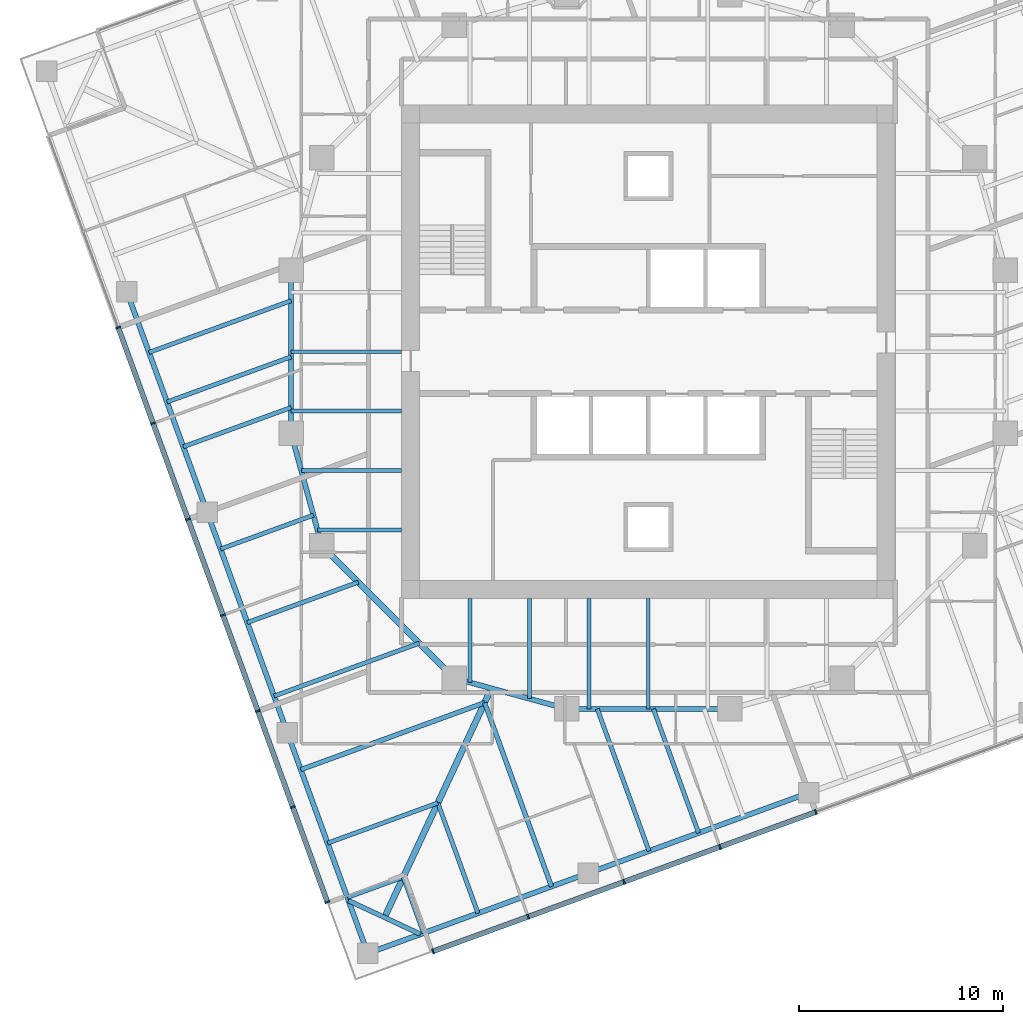
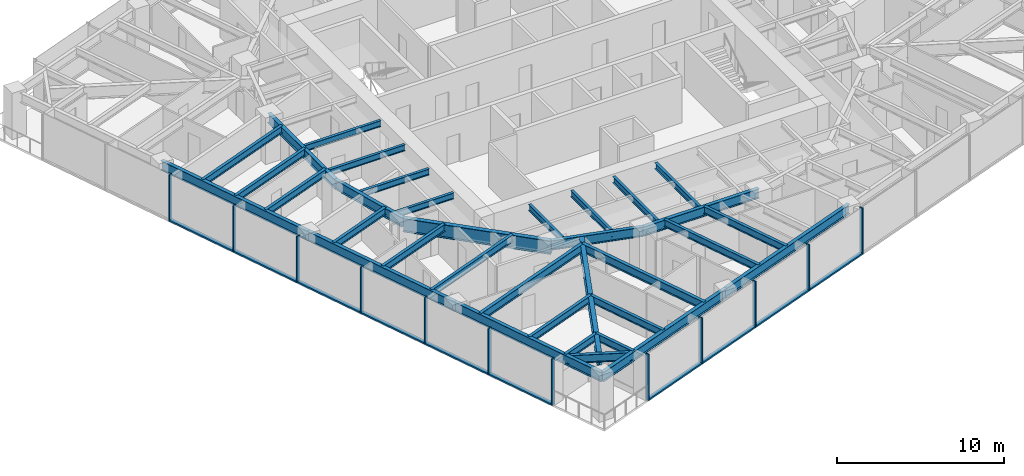
# One storey, part 2 of 13: 34 beams, 22 members, 2 elements without a shape of their own.
"""IFC4 building model written with IfcOpenShell, lengths in metres."""

from ifc_helpers import new_model, si_unit, direction, frame, origin, origin_2d, place, context, subcontext, project, spatial, rectangle, i_section, extrude, material, material_profile, profile_set, type_object, element, aggregate, save


model = new_model("IFC4")

# Units and contexts
model_context = context("Model", 3, precision=1e-05, world=origin(), true_north=direction((0.0, 1.0)))
body_context = subcontext(model_context, "Body", "Model", "MODEL_VIEW")
ifc_project = project(units=[si_unit("LENGTHUNIT", "METRE"), si_unit("AREAUNIT", "SQUARE_METRE"), si_unit("VOLUMEUNIT", "CUBIC_METRE"), si_unit("PLANEANGLEUNIT", "RADIAN"), si_unit("MASSUNIT", "GRAM", prefix="KILO")], contexts=[model_context])

# Site, building, storey
site_placement = place(None, origin())
site = spatial("IfcSite", under=ifc_project, at=site_placement, CompositionType="ELEMENT")
building_placement = place(site_placement, origin())
building = spatial("IfcBuilding", under=site, at=building_placement, Name="Torsade Residences", CompositionType="ELEMENT")
storey_placement = place(building_placement, frame((0.0, 0.0, 147.199951171875)))
storey = spatial("IfcBuildingStorey", under=building, at=storey_placement, Name="L40", CompositionType="ELEMENT", Elevation=147.199951171875)

# Beams
ifc_material_1 = material(Name="Steel grade 300", Category="steel")
ifc_material_profile_1 = material_profile(ifc_material_1, i_section(OverallWidth=0.300048828125, OverallDepth=0.89990234375, WebThickness=0.011962890625, FlangeThickness=0.02490234375, at=origin_2d()), Name="900WB175")
ifc_profile_set_1 = profile_set([ifc_material_profile_1], Name="Steel grade 300")
beam_type_1 = type_object("IfcBeamType", Name="CORNER GIRDER 900WB175", PredefinedType="BEAM", material=ifc_profile_set_1)
beam_1_placement = place(storey_placement, frame((27.075439453125, 2.282958984375, 2.800048828125), z_axis=(0.422616712682, 0.906308509373, 0.0), x_axis=(-0.906308509373, 0.422616712682, 0.0)))
element("IfcBeam", 1, at=beam_1_placement, inside=storey, type_object=beam_type_1, Name="Corner girder 01 L41", PredefinedType="BEAM", context=body_context, shape_type="SweptSolid", body=[
    extrude(i_section(OverallWidth=0.300048828125, OverallDepth=0.89990234375, WebThickness=0.011962890625, FlangeThickness=0.02490234375, at=origin_2d()), origin(), (0.0, 0.0, 1.0), 12.3837890625),
])
ifc_material_2 = material(Name="Steel grade 300", Category="steel")
ifc_material_profile_2 = material_profile(ifc_material_2, i_section(OverallWidth=0.22802734375, OverallDepth=0.60205078125, WebThickness=0.010498046875, FlangeThickness=0.014892578125, FilletRadius=0.013916015625, at=origin_2d()), Name="610UB101")
ifc_profile_set_2 = profile_set([ifc_material_profile_2], Name="Steel grade 300")
beam_type_2 = type_object("IfcBeamType", Name="CORNER TRIMMER 610UB101", PredefinedType="BEAM", material=ifc_profile_set_2)
beam_2_placement = place(storey_placement, frame((28.837646484375, 1.461181640625, 2.948974609375), z_axis=(-0.906309798645, 0.422613947806, 0.0), x_axis=(-0.422613947806, -0.906309798645, 0.0)))
element("IfcBeam", 2, at=beam_2_placement, inside=storey, type_object=beam_type_2, Name="Corner trimmer 01 L41", PredefinedType="BEAM", context=body_context, shape_type="SweptSolid", body=[
    extrude(i_section(OverallWidth=0.22802734375, OverallDepth=0.60205078125, WebThickness=0.010498046875, FlangeThickness=0.014892578125, FilletRadius=0.013916015625, at=origin_2d()), origin(), (0.0, 0.0, 1.0), 3.888916015625),
])
ifc_material_3 = material(Name="Steel grade 300", Category="steel")
ifc_material_profile_3 = material_profile(ifc_material_3, i_section(OverallWidth=0.25, OverallDepth=0.699951171875, WebThickness=0.010009765625, FlangeThickness=0.02001953125, at=origin_2d()), Name="700WB130")
ifc_profile_set_3 = profile_set([ifc_material_profile_3], Name="Steel grade 300")
beam_type_3 = type_object("IfcBeamType", Name="EDGE BEAM 700WB130", PredefinedType="SPANDREL", material=ifc_profile_set_3)
beam_3_placement = place(storey_placement, frame((26.25341796875, 0.5205078125, 2.900146484375), z_axis=(0.93969110915, 0.342024296483, 0.0), x_axis=(-0.342024296483, 0.93969110915, 0.0)))
element("IfcBeam", 3, at=beam_3_placement, inside=storey, type_object=beam_type_3, Name="Edge beam 01 L41", PredefinedType="SPANDREL", context=body_context, shape_type="SweptSolid", body=[
    extrude(i_section(OverallWidth=0.25, OverallDepth=0.699951171875, WebThickness=0.010009765625, FlangeThickness=0.02001953125, at=origin_2d()), origin(), (0.0, 0.0, 1.0), 11.500244140625),
])
for number, where, z_axis, x_axis, name in (
    (4, (37.06005859375, 4.453857421875, 2.900146484375), (0.939695448801, 0.342012373318, 0.0), (-0.342012373318, 0.939695448801, 0.0), "Edge beam 02 L41"),
    (5, (14.453857421875, 32.93994140625, 2.900146484375), (0.342012373318, -0.939695448801, 0.0), (0.939695448801, 0.342012373318, 0.0), "Edge beam 14 L41"),
    (6, (18.386962890625, 22.133544921875, 2.900146484375), (0.342031119628, -0.939688625666, 0.0), (0.939688625666, 0.342031119628, 0.0), "Edge beam 15 L41"),
    (7, (22.3203125, 11.3271484375, 2.900146484375), (0.342005550448, -0.939697932031, 0.0), (0.939697932031, 0.342005550448, 0.0), "Edge beam 16 L41"),
):
    element("IfcBeam", number, at=place(storey_placement, frame(where, z_axis=z_axis, x_axis=x_axis)), inside=storey, type_object=beam_type_3, Name=name, PredefinedType="SPANDREL", context=body_context, shape_type="SweptSolid", body=[
        extrude(i_section(OverallWidth=0.25, OverallDepth=0.699951171875, WebThickness=0.010009765625, FlangeThickness=0.02001953125, at=origin_2d()), origin(), (0.0, 0.0, 1.0), 11.5),
    ])
ifc_material_4 = material(Name="Steel grade 300", Category="steel")
ifc_material_profile_4 = material_profile(ifc_material_4, i_section(OverallWidth=0.18994140625, OverallDepth=0.4541015625, WebThickness=0.008544921875, FlangeThickness=0.0126953125, FilletRadius=0.011474609375, at=origin_2d()), Name="460UB67.1")
ifc_profile_set_4 = profile_set([ifc_material_profile_4], Name="Steel grade 300")
beam_type_4 = type_object("IfcBeamType", Name="INNER FLOOR BEAM 460UB67.1", PredefinedType="JOIST", material=ifc_profile_set_4)
for number, where, z_axis, x_axis, name in (
    (8, (40.0, 17.89990234375, 3.02294921875), (0.0, -1.0, 0.0), (1.0, 0.0, 0.0), "Inner floor beam IS04 L41"),
    (9, (37.08740234375, 17.89990234375, 3.02294921875), (0.0, -1.0, 0.0), (1.0, 0.0, 0.0), "Inner floor beam IS05 L41"),
):
    element("IfcBeam", number, at=place(storey_placement, frame(where, z_axis=z_axis, x_axis=x_axis)), inside=storey, type_object=beam_type_4, Name=name, PredefinedType="JOIST", context=body_context, shape_type="SweptSolid", body=[
        extrude(i_section(OverallWidth=0.18994140625, OverallDepth=0.4541015625, WebThickness=0.008544921875, FlangeThickness=0.0126953125, FilletRadius=0.011474609375, at=origin_2d()), origin(), (0.0, 0.0, 1.0), 5.39990234375),
    ])
beam_4_placement = place(storey_placement, frame((34.175048828125, 17.89990234375, 3.02294921875), z_axis=(0.0, -1.0, 0.0), x_axis=(1.0, 0.0, 0.0)))
element("IfcBeam", 10, at=beam_4_placement, inside=storey, type_object=beam_type_4, Name="Inner floor beam IS06 L41", PredefinedType="JOIST", context=body_context, shape_type="SweptSolid", body=[
    extrude(i_section(OverallWidth=0.18994140625, OverallDepth=0.4541015625, WebThickness=0.008544921875, FlangeThickness=0.0126953125, FilletRadius=0.011474609375, at=origin_2d()), origin(), (0.0, 0.0, 1.0), 4.902099609375),
])
beam_5_placement = place(storey_placement, frame((31.262451171875, 17.89990234375, 3.02294921875), z_axis=(0.0, -1.0, 0.0), x_axis=(1.0, 0.0, 0.0)))
element("IfcBeam", 11, at=beam_5_placement, inside=storey, type_object=beam_type_4, Name="Inner floor beam IS07 L41", PredefinedType="JOIST", context=body_context, shape_type="SweptSolid", body=[
    extrude(i_section(OverallWidth=0.18994140625, OverallDepth=0.4541015625, WebThickness=0.008544921875, FlangeThickness=0.0126953125, FilletRadius=0.011474609375, at=origin_2d()), origin(), (0.0, 0.0, 1.0), 4.10791015625),
])
for number, where, z_axis, x_axis, name in (
    (12, (27.89990234375, 30.0, 3.02294921875), (-1.0, 0.0, 0.0), (0.0, -1.0, 0.0), "Inner floor beam IW04 L41"),
    (13, (27.89990234375, 27.08740234375, 3.02294921875), (-1.0, 0.0, 0.0), (0.0, -1.0, 0.0), "Inner floor beam IW05 L41"),
):
    element("IfcBeam", number, at=place(storey_placement, frame(where, z_axis=z_axis, x_axis=x_axis)), inside=storey, type_object=beam_type_4, Name=name, PredefinedType="JOIST", context=body_context, shape_type="SweptSolid", body=[
        extrude(i_section(OverallWidth=0.18994140625, OverallDepth=0.4541015625, WebThickness=0.008544921875, FlangeThickness=0.0126953125, FilletRadius=0.011474609375, at=origin_2d()), origin(), (0.0, 0.0, 1.0), 5.39990234375),
    ])
beam_6_placement = place(storey_placement, frame((27.89990234375, 24.175048828125, 3.02294921875), z_axis=(-1.0, 0.0, 0.0), x_axis=(0.0, -1.0, 0.0)))
element("IfcBeam", 14, at=beam_6_placement, inside=storey, type_object=beam_type_4, Name="Inner floor beam IW06 L41", PredefinedType="JOIST", context=body_context, shape_type="SweptSolid", body=[
    extrude(i_section(OverallWidth=0.18994140625, OverallDepth=0.4541015625, WebThickness=0.008544921875, FlangeThickness=0.0126953125, FilletRadius=0.011474609375, at=origin_2d()), origin(), (0.0, 0.0, 1.0), 4.902099609375),
])
beam_7_placement = place(storey_placement, frame((27.89990234375, 21.262451171875, 3.02294921875), z_axis=(-1.0, 0.0, 0.0), x_axis=(0.0, -1.0, 0.0)))
element("IfcBeam", 15, at=beam_7_placement, inside=storey, type_object=beam_type_4, Name="Inner floor beam IW07 L41", PredefinedType="JOIST", context=body_context, shape_type="SweptSolid", body=[
    extrude(i_section(OverallWidth=0.18994140625, OverallDepth=0.4541015625, WebThickness=0.008544921875, FlangeThickness=0.0126953125, FilletRadius=0.011474609375, at=origin_2d()), origin(), (0.0, 0.0, 1.0), 4.10791015625),
])

# Curtain wall, members
ifc_material_5 = material(Name="Aluminium and glass", Category="aluminium")
curtain_wall_type = type_object("IfcCurtainWallType", Name="FRITTED GLASS CURTAIN WALL MID ZONE", PredefinedType="NOTDEFINED", material=ifc_material_5)
curtain_wall_1_placement = place(storey_placement, origin())
curtain_wall_1 = element("IfcCurtainWall", 16, at=curtain_wall_1_placement, inside=storey, type_object=curtain_wall_type, Name="Curtain wall L40 face 1", PredefinedType="NOTDEFINED")
ifc_material_6 = material(Name="Aluminium mullion", Category="aluminium")
ifc_material_profile_5 = material_profile(ifc_material_6, rectangle(XDim=0.25, YDim=0.080078125, at=origin_2d()), Name="MID ZONE CURTAIN WALL MULLION 250x80")
ifc_profile_set_5 = profile_set([ifc_material_profile_5], Name="Aluminium mullion")
member_type_1 = type_object("IfcMemberType", Name="MID ZONE CURTAIN WALL MULLION 250x80", PredefinedType="MULLION", material=ifc_profile_set_5)
member_1_placement = place(storey_placement, frame((29.4521484375, 0.62060546875, 0.0), z_axis=(0.0, 0.0, 1.0), x_axis=(-0.342020147869, 0.939692619132, 0.0)))
member_1 = element("IfcMember", 17, at=member_1_placement, type_object=member_type_1, Name="Mullion 1", PredefinedType="MULLION", context=body_context, shape_type="SweptSolid", body=[
    extrude(rectangle(XDim=0.25, YDim=0.080078125, at=origin_2d()), origin(), (0.0, 0.0, 1.0), 3.400146484375),
])
member_2_placement = place(storey_placement, frame((34.113037109375, 2.317138671875, 0.0), z_axis=(0.0, 0.0, 1.0), x_axis=(-0.342020147869, 0.939692619132, 0.0)))
member_2 = element("IfcMember", 18, at=member_2_placement, type_object=member_type_1, Name="Mullion 2", PredefinedType="MULLION", context=body_context, shape_type="SweptSolid", body=[
    extrude(rectangle(XDim=0.25, YDim=0.080078125, at=origin_2d()), origin(), (0.0, 0.0, 1.0), 3.400146484375),
])
member_3_placement = place(storey_placement, frame((38.8115234375, 4.027099609375, 0.0), z_axis=(0.0, 0.0, 1.0), x_axis=(-0.342020147869, 0.939692619132, 0.0)))
member_3 = element("IfcMember", 19, at=member_3_placement, type_object=member_type_1, Name="Mullion 3", PredefinedType="MULLION", context=body_context, shape_type="SweptSolid", body=[
    extrude(rectangle(XDim=0.25, YDim=0.080078125, at=origin_2d()), origin(), (0.0, 0.0, 1.0), 3.400146484375),
])
member_4_placement = place(storey_placement, frame((43.510009765625, 5.7373046875, 0.0), z_axis=(0.0, 0.0, 1.0), x_axis=(-0.342020147869, 0.939692619132, 0.0)))
member_4 = element("IfcMember", 20, at=member_4_placement, type_object=member_type_1, Name="Mullion 4", PredefinedType="MULLION", context=body_context, shape_type="SweptSolid", body=[
    extrude(rectangle(XDim=0.25, YDim=0.080078125, at=origin_2d()), origin(), (0.0, 0.0, 1.0), 3.400146484375),
])
member_5_placement = place(storey_placement, frame((48.20849609375, 7.447265625, 0.0), z_axis=(0.0, 0.0, 1.0), x_axis=(-0.342020147869, 0.939692619132, 0.0)))
member_5 = element("IfcMember", 21, at=member_5_placement, type_object=member_type_1, Name="Mullion 5", PredefinedType="MULLION", context=body_context, shape_type="SweptSolid", body=[
    extrude(rectangle(XDim=0.25, YDim=0.080078125, at=origin_2d()), origin(), (0.0, 0.0, 1.0), 3.400146484375),
])

curtain_wall_2_placement = place(storey_placement, origin())
curtain_wall_2 = element("IfcCurtainWall", 22, at=curtain_wall_2_placement, inside=storey, type_object=curtain_wall_type, Name="Curtain wall L40 face 10", PredefinedType="NOTDEFINED")
member_6_placement = place(storey_placement, frame((14.027099609375, 31.1884765625, 0.0), z_axis=(0.0, 0.0, 1.0), x_axis=(0.939692619132, 0.342020147869, 0.0)))
member_6 = element("IfcMember", 23, at=member_6_placement, type_object=member_type_1, Name="Mullion 3", PredefinedType="MULLION", context=body_context, shape_type="SweptSolid", body=[
    extrude(rectangle(XDim=0.25, YDim=0.080078125, at=origin_2d()), origin(), (0.0, 0.0, 1.0), 3.400146484375),
])
member_7_placement = place(storey_placement, frame((15.7373046875, 26.489990234375, 0.0), z_axis=(0.0, 0.0, 1.0), x_axis=(0.939692619132, 0.342020147869, 0.0)))
member_7 = element("IfcMember", 24, at=member_7_placement, type_object=member_type_1, Name="Mullion 4", PredefinedType="MULLION", context=body_context, shape_type="SweptSolid", body=[
    extrude(rectangle(XDim=0.25, YDim=0.080078125, at=origin_2d()), origin(), (0.0, 0.0, 1.0), 3.400146484375),
])
member_8_placement = place(storey_placement, frame((17.447265625, 21.79150390625, 0.0), z_axis=(0.0, 0.0, 1.0), x_axis=(0.939692619132, 0.342020147869, 0.0)))
member_8 = element("IfcMember", 25, at=member_8_placement, type_object=member_type_1, Name="Mullion 5", PredefinedType="MULLION", context=body_context, shape_type="SweptSolid", body=[
    extrude(rectangle(XDim=0.25, YDim=0.080078125, at=origin_2d()), origin(), (0.0, 0.0, 1.0), 3.400146484375),
])
member_9_placement = place(storey_placement, frame((19.157470703125, 17.093017578125, 0.0), z_axis=(0.0, 0.0, 1.0), x_axis=(0.939692619132, 0.342020147869, 0.0)))
member_9 = element("IfcMember", 26, at=member_9_placement, type_object=member_type_1, Name="Mullion 6", PredefinedType="MULLION", context=body_context, shape_type="SweptSolid", body=[
    extrude(rectangle(XDim=0.25, YDim=0.080078125, at=origin_2d()), origin(), (0.0, 0.0, 1.0), 3.400146484375),
])
member_10_placement = place(storey_placement, frame((20.86767578125, 12.39453125, 0.0), z_axis=(0.0, 0.0, 1.0), x_axis=(0.939692619132, 0.342020147869, 0.0)))
member_10 = element("IfcMember", 27, at=member_10_placement, type_object=member_type_1, Name="Mullion 7", PredefinedType="MULLION", context=body_context, shape_type="SweptSolid", body=[
    extrude(rectangle(XDim=0.25, YDim=0.080078125, at=origin_2d()), origin(), (0.0, 0.0, 1.0), 3.400146484375),
])
member_11_placement = place(storey_placement, frame((22.57763671875, 7.696044921875, 0.0), z_axis=(0.0, 0.0, 1.0), x_axis=(0.939692619132, 0.342020147869, 0.0)))
member_11 = element("IfcMember", 28, at=member_11_placement, type_object=member_type_1, Name="Mullion 8", PredefinedType="MULLION", context=body_context, shape_type="SweptSolid", body=[
    extrude(rectangle(XDim=0.25, YDim=0.080078125, at=origin_2d()), origin(), (0.0, 0.0, 1.0), 3.400146484375),
])
member_12_placement = place(storey_placement, frame((24.274169921875, 3.03515625, 0.0), z_axis=(0.0, 0.0, 1.0), x_axis=(0.939692619132, 0.342020147869, 0.0)))
member_12 = element("IfcMember", 29, at=member_12_placement, type_object=member_type_1, Name="Mullion 9", PredefinedType="MULLION", context=body_context, shape_type="SweptSolid", body=[
    extrude(rectangle(XDim=0.25, YDim=0.080078125, at=origin_2d()), origin(), (0.0, 0.0, 1.0), 3.400146484375),
])

# Member
ifc_material_7 = material(Name="Aluminium transom", Category="aluminium")
ifc_material_profile_6 = material_profile(ifc_material_7, rectangle(XDim=0.25, YDim=0.110107421875, at=origin_2d()), Name="MID ZONE CURTAIN WALL TRANSOM 250x110")
ifc_profile_set_6 = profile_set([ifc_material_profile_6], Name="Aluminium transom")
member_type_2 = type_object("IfcMemberType", Name="MID ZONE CURTAIN WALL TRANSOM 250x110", PredefinedType="USERDEFINED", material=ifc_profile_set_6)
member_13_placement = place(storey_placement, frame((29.48974609375, 0.63427734375, 0.054931640625), z_axis=(0.939683823915, 0.342044311564, 0.0), x_axis=(-0.342044311564, 0.939683823915, 0.0)))
member_13 = element("IfcMember", 30, at=member_13_placement, type_object=member_type_2, Name="Transom 1.1", ObjectType="TRANSOM", PredefinedType="USERDEFINED", context=body_context, shape_type="SweptSolid", body=[
    extrude(rectangle(XDim=0.25, YDim=0.110107421875, at=origin_2d()), origin(), (0.0, 0.0, 1.0), 4.880126953125),
])

member_14_placement = place(storey_placement, frame((34.150634765625, 2.330810546875, 0.054931640625), z_axis=(0.9397006637, 0.341998044792, 0.0), x_axis=(-0.341998044792, 0.9397006637, 0.0)))
member_14 = element("IfcMember", 31, at=member_14_placement, type_object=member_type_2, Name="Transom 2.1", ObjectType="TRANSOM", PredefinedType="USERDEFINED", context=body_context, shape_type="SweptSolid", body=[
    extrude(rectangle(XDim=0.25, YDim=0.110107421875, at=origin_2d()), origin(), (0.0, 0.0, 1.0), 4.919921875),
])

member_15_placement = place(storey_placement, frame((38.84912109375, 4.040771484375, 0.054931640625), z_axis=(0.93968471549, 0.342041862168, 0.0), x_axis=(-0.342041862168, 0.93968471549, 0.0)))
member_15 = element("IfcMember", 32, at=member_15_placement, type_object=member_type_2, Name="Transom 3.1", ObjectType="TRANSOM", PredefinedType="USERDEFINED", context=body_context, shape_type="SweptSolid", body=[
    extrude(rectangle(XDim=0.25, YDim=0.110107421875, at=origin_2d()), origin(), (0.0, 0.0, 1.0), 4.920166015625),
])

member_16_placement = place(storey_placement, frame((43.547607421875, 5.7509765625, 0.054931640625), z_axis=(0.9397006637, 0.341998044792, 0.0), x_axis=(-0.341998044792, 0.9397006637, 0.0)))
member_16 = element("IfcMember", 33, at=member_16_placement, type_object=member_type_2, Name="Transom 4.1", ObjectType="TRANSOM", PredefinedType="USERDEFINED", context=body_context, shape_type="SweptSolid", body=[
    extrude(rectangle(XDim=0.25, YDim=0.110107421875, at=origin_2d()), origin(), (0.0, 0.0, 1.0), 4.919921875),
])

aggregate(curtain_wall_1, [member_1, member_2, member_3, member_4, member_5, member_13, member_14, member_15, member_16])

member_17_placement = place(storey_placement, frame((14.040771484375, 31.15087890625, 0.054931640625), z_axis=(0.342041862168, -0.93968471549, 0.0), x_axis=(0.93968471549, 0.342041862168, 0.0)))
member_17 = element("IfcMember", 34, at=member_17_placement, type_object=member_type_2, Name="Transom 3.1", ObjectType="TRANSOM", PredefinedType="USERDEFINED", context=body_context, shape_type="SweptSolid", body=[
    extrude(rectangle(XDim=0.25, YDim=0.110107421875, at=origin_2d()), origin(), (0.0, 0.0, 1.0), 4.920166015625),
])

member_18_placement = place(storey_placement, frame((15.7509765625, 26.452392578125, 0.054931640625), z_axis=(0.341998044792, -0.9397006637, 0.0), x_axis=(0.9397006637, 0.341998044792, 0.0)))
member_18 = element("IfcMember", 35, at=member_18_placement, type_object=member_type_2, Name="Transom 4.1", ObjectType="TRANSOM", PredefinedType="USERDEFINED", context=body_context, shape_type="SweptSolid", body=[
    extrude(rectangle(XDim=0.25, YDim=0.110107421875, at=origin_2d()), origin(), (0.0, 0.0, 1.0), 4.919921875),
])

member_19_placement = place(storey_placement, frame((17.4609375, 21.75390625, 0.054931640625), z_axis=(0.342041862168, -0.93968471549, 0.0), x_axis=(0.93968471549, 0.342041862168, 0.0)))
member_19 = element("IfcMember", 36, at=member_19_placement, type_object=member_type_2, Name="Transom 5.1", ObjectType="TRANSOM", PredefinedType="USERDEFINED", context=body_context, shape_type="SweptSolid", body=[
    extrude(rectangle(XDim=0.25, YDim=0.110107421875, at=origin_2d()), origin(), (0.0, 0.0, 1.0), 4.920166015625),
])

member_20_placement = place(storey_placement, frame((19.171142578125, 17.055419921875, 0.054931640625), z_axis=(0.342041862168, -0.93968471549, 0.0), x_axis=(0.93968471549, 0.342041862168, 0.0)))
member_20 = element("IfcMember", 37, at=member_20_placement, type_object=member_type_2, Name="Transom 6.1", ObjectType="TRANSOM", PredefinedType="USERDEFINED", context=body_context, shape_type="SweptSolid", body=[
    extrude(rectangle(XDim=0.25, YDim=0.110107421875, at=origin_2d()), origin(), (0.0, 0.0, 1.0), 4.920166015625),
])

member_21_placement = place(storey_placement, frame((20.88134765625, 12.35693359375, 0.054931640625), z_axis=(0.341998044792, -0.9397006637, 0.0), x_axis=(0.9397006637, 0.341998044792, 0.0)))
member_21 = element("IfcMember", 38, at=member_21_placement, type_object=member_type_2, Name="Transom 7.1", ObjectType="TRANSOM", PredefinedType="USERDEFINED", context=body_context, shape_type="SweptSolid", body=[
    extrude(rectangle(XDim=0.25, YDim=0.110107421875, at=origin_2d()), origin(), (0.0, 0.0, 1.0), 4.919921875),
])

member_22_placement = place(storey_placement, frame((22.59130859375, 7.658447265625, 0.054931640625), z_axis=(0.342044311564, -0.939683823915, 0.0), x_axis=(0.939683823915, 0.342044311564, 0.0)))
member_22 = element("IfcMember", 39, at=member_22_placement, type_object=member_type_2, Name="Transom 8.1", ObjectType="TRANSOM", PredefinedType="USERDEFINED", context=body_context, shape_type="SweptSolid", body=[
    extrude(rectangle(XDim=0.25, YDim=0.110107421875, at=origin_2d()), origin(), (0.0, 0.0, 1.0), 4.880126953125),
])

aggregate(curtain_wall_2, [member_6, member_7, member_8, member_9, member_10, member_11, member_12, member_17, member_18, member_19, member_20, member_21, member_22])

# Beams
ifc_material_8 = material(Name="Steel grade 300", Category="steel")
ifc_material_profile_7 = material_profile(ifc_material_8, i_section(OverallWidth=0.300048828125, OverallDepth=1.0, WebThickness=0.01611328125, FlangeThickness=0.028076171875, at=origin_2d()), Name="1000WB215")
ifc_profile_set_7 = profile_set([ifc_material_profile_7], Name="Steel grade 300")
beam_type_5 = type_object("IfcBeamType", Name="RING CORNER GIRDER 1000WB215", PredefinedType="BEAM", material=ifc_profile_set_7)
beam_8_placement = place(storey_placement, frame((24.0, 20.5, 2.75), z_axis=(0.707106781187, -0.707106781187, 0.0), x_axis=(0.707106781187, 0.707106781187, 0.0)))
element("IfcBeam", 40, at=beam_8_placement, inside=storey, type_object=beam_type_5, Name="Ring girder IR11 L41", PredefinedType="BEAM", context=body_context, shape_type="SweptSolid", body=[
    extrude(i_section(OverallWidth=0.300048828125, OverallDepth=1.0, WebThickness=0.01611328125, FlangeThickness=0.028076171875, at=origin_2d()), origin(), (0.0, 0.0, 1.0), 9.1923828125),
])
ifc_material_9 = material(Name="Steel grade 300", Category="steel")
ifc_material_profile_8 = material_profile(ifc_material_9, i_section(OverallWidth=0.25, OverallDepth=0.699951171875, WebThickness=0.010009765625, FlangeThickness=0.02001953125, at=origin_2d()), Name="700WB130")
ifc_profile_set_8 = profile_set([ifc_material_profile_8], Name="Steel grade 300")
beam_type_6 = type_object("IfcBeamType", Name="RING GIRDER 700WB130", PredefinedType="BEAM", material=ifc_profile_set_8)
beam_9_placement = place(storey_placement, frame((22.5, 34.0, 2.900146484375), z_axis=(0.0, -1.0, 0.0), x_axis=(1.0, 0.0, 0.0)))
element("IfcBeam", 41, at=beam_9_placement, inside=storey, type_object=beam_type_6, Name="Ring girder IR09 L41", PredefinedType="BEAM", context=body_context, shape_type="SweptSolid", body=[
    extrude(i_section(OverallWidth=0.25, OverallDepth=0.699951171875, WebThickness=0.010009765625, FlangeThickness=0.02001953125, at=origin_2d()), origin(), (0.0, 0.0, 1.0), 8.0),
])
for number, where, z_axis, x_axis, name in (
    (42, (22.5, 26.0, 2.900146484375), (0.263117405792, -0.964763821238, 0.0), (0.964763821238, 0.263117405792, 0.0), "Ring girder IR10 L41"),
    (43, (30.5, 14.0, 2.900146484375), (0.964763821238, -0.263117405792, 0.0), (0.263117405792, 0.964763821238, 0.0), "Ring girder IR12 L41"),
):
    element("IfcBeam", number, at=place(storey_placement, frame(where, z_axis=z_axis, x_axis=x_axis)), inside=storey, type_object=beam_type_6, Name=name, PredefinedType="BEAM", context=body_context, shape_type="SweptSolid", body=[
        extrude(i_section(OverallWidth=0.25, OverallDepth=0.699951171875, WebThickness=0.010009765625, FlangeThickness=0.02001953125, at=origin_2d()), origin(), (0.0, 0.0, 1.0), 5.700927734375),
    ])
beam_10_placement = place(storey_placement, frame((36.0, 12.5, 2.900146484375), z_axis=(1.0, 0.0, 0.0), x_axis=(0.0, 1.0, 0.0)))
element("IfcBeam", 44, at=beam_10_placement, inside=storey, type_object=beam_type_6, Name="Ring girder IR13 L41", PredefinedType="BEAM", context=body_context, shape_type="SweptSolid", body=[
    extrude(i_section(OverallWidth=0.25, OverallDepth=0.699951171875, WebThickness=0.010009765625, FlangeThickness=0.02001953125, at=origin_2d()), origin(), (0.0, 0.0, 1.0), 8.0),
])
ifc_material_10 = material(Name="Steel grade 300", Category="steel")
ifc_material_profile_9 = material_profile(ifc_material_10, i_section(OverallWidth=0.208984375, OverallDepth=0.528076171875, WebThickness=0.009521484375, FlangeThickness=0.01318359375, FilletRadius=0.013916015625, at=origin_2d()), Name="530UB82.0")
ifc_profile_set_9 = profile_set([ifc_material_profile_9], Name="Steel grade 300")
beam_type_7 = type_object("IfcBeamType", Name="SECONDARY BEAM 530UB82.0", PredefinedType="JOIST", material=ifc_profile_set_9)
beam_11_placement = place(storey_placement, frame((28.994384765625, 1.51806640625, 2.986083984375), z_axis=(-0.341998427281, 0.939700524495, 0.0), x_axis=(-0.939700524495, -0.341998427281, 0.0)))
element("IfcBeam", 45, at=beam_11_placement, inside=storey, type_object=beam_type_7, Name="Floor beam FS01 L41", PredefinedType="JOIST", context=body_context, shape_type="SweptSolid", body=[
    extrude(i_section(OverallWidth=0.208984375, OverallDepth=0.528076171875, WebThickness=0.009521484375, FlangeThickness=0.01318359375, FilletRadius=0.013916015625, at=origin_2d()), origin(), (0.0, 0.0, 1.0), 2.916748046875),
])
beam_12_placement = place(storey_placement, frame((31.65673828125, 2.4873046875, 2.986083984375), z_axis=(-0.342019196443, 0.939692965423, 0.0), x_axis=(-0.939692965423, -0.342019196443, 0.0)))
element("IfcBeam", 46, at=beam_12_placement, inside=storey, type_object=beam_type_7, Name="Floor beam FS02 L41", PredefinedType="JOIST", context=body_context, shape_type="SweptSolid", body=[
    extrude(i_section(OverallWidth=0.208984375, OverallDepth=0.528076171875, WebThickness=0.009521484375, FlangeThickness=0.01318359375, FilletRadius=0.013916015625, at=origin_2d()), origin(), (0.0, 0.0, 1.0), 5.749755859375),
])
beam_13_placement = place(storey_placement, frame((40.03564453125, 5.536865234375, 2.986083984375), z_axis=(-0.342026105929, 0.939690450554, 0.0), x_axis=(-0.939690450554, -0.342026105929, 0.0)))
element("IfcBeam", 47, at=beam_13_placement, inside=storey, type_object=beam_type_7, Name="Floor beam FS04 L41", PredefinedType="JOIST", context=body_context, shape_type="SweptSolid", body=[
    extrude(i_section(OverallWidth=0.208984375, OverallDepth=0.528076171875, WebThickness=0.009521484375, FlangeThickness=0.01318359375, FilletRadius=0.013916015625, at=origin_2d()), origin(), (0.0, 0.0, 1.0), 7.409912109375),
])
beam_14_placement = place(storey_placement, frame((42.463134765625, 6.42041015625, 2.986083984375), z_axis=(-0.342000590983, 0.939699737026, 0.0), x_axis=(-0.939699737026, -0.342000590983, 0.0)))
element("IfcBeam", 48, at=beam_14_placement, inside=storey, type_object=beam_type_7, Name="Floor beam FS05 L41", PredefinedType="JOIST", context=body_context, shape_type="SweptSolid", body=[
    extrude(i_section(OverallWidth=0.208984375, OverallDepth=0.528076171875, WebThickness=0.009521484375, FlangeThickness=0.01318359375, FilletRadius=0.013916015625, at=origin_2d()), origin(), (0.0, 0.0, 1.0), 6.4697265625),
])
beam_15_placement = place(storey_placement, frame((15.536865234375, 29.96435546875, 2.986083984375), z_axis=(0.939690450554, 0.342026105929, 0.0), x_axis=(-0.342026105929, 0.939690450554, 0.0)))
element("IfcBeam", 49, at=beam_15_placement, inside=storey, type_object=beam_type_7, Name="Floor beam FW04 L41", PredefinedType="JOIST", context=body_context, shape_type="SweptSolid", body=[
    extrude(i_section(OverallWidth=0.208984375, OverallDepth=0.528076171875, WebThickness=0.009521484375, FlangeThickness=0.01318359375, FilletRadius=0.013916015625, at=origin_2d()), origin(), (0.0, 0.0, 1.0), 7.409912109375),
])
beam_16_placement = place(storey_placement, frame((16.42041015625, 27.536865234375, 2.986083984375), z_axis=(0.939699737026, 0.342000590983, 0.0), x_axis=(-0.342000590983, 0.939699737026, 0.0)))
element("IfcBeam", 50, at=beam_16_placement, inside=storey, type_object=beam_type_7, Name="Floor beam FW05 L41", PredefinedType="JOIST", context=body_context, shape_type="SweptSolid", body=[
    extrude(i_section(OverallWidth=0.208984375, OverallDepth=0.528076171875, WebThickness=0.009521484375, FlangeThickness=0.01318359375, FilletRadius=0.013916015625, at=origin_2d()), origin(), (0.0, 0.0, 1.0), 6.4697265625),
])
beam_17_placement = place(storey_placement, frame((17.218505859375, 25.34423828125, 2.986083984375), z_axis=(0.939703343336, 0.341990681925, 0.0), x_axis=(-0.341990681925, 0.939703343336, 0.0)))
element("IfcBeam", 51, at=beam_17_placement, inside=storey, type_object=beam_type_7, Name="Floor beam FW06 L41", PredefinedType="JOIST", context=body_context, shape_type="SweptSolid", body=[
    extrude(i_section(OverallWidth=0.208984375, OverallDepth=0.528076171875, WebThickness=0.009521484375, FlangeThickness=0.01318359375, FilletRadius=0.013916015625, at=origin_2d()), origin(), (0.0, 0.0, 1.0), 5.620361328125),
])
beam_18_placement = place(storey_placement, frame((19.042724609375, 20.33251953125, 2.986083984375), z_axis=(0.939694777187, 0.342014218604, 0.0), x_axis=(-0.342014218604, 0.939694777187, 0.0)))
element("IfcBeam", 52, at=beam_18_placement, inside=storey, type_object=beam_type_7, Name="Floor beam FW07 L41", PredefinedType="JOIST", context=body_context, shape_type="SweptSolid", body=[
    extrude(i_section(OverallWidth=0.208984375, OverallDepth=0.528076171875, WebThickness=0.009521484375, FlangeThickness=0.01318359375, FilletRadius=0.013916015625, at=origin_2d()), origin(), (0.0, 0.0, 1.0), 4.84326171875),
])
beam_19_placement = place(storey_placement, frame((20.353759765625, 16.730224609375, 2.986083984375), z_axis=(0.939687428295, 0.342034409239, 0.0), x_axis=(-0.342034409239, 0.939687428295, 0.0)))
element("IfcBeam", 53, at=beam_19_placement, inside=storey, type_object=beam_type_7, Name="Floor beam FW08 L41", PredefinedType="JOIST", context=body_context, shape_type="SweptSolid", body=[
    extrude(i_section(OverallWidth=0.208984375, OverallDepth=0.528076171875, WebThickness=0.009521484375, FlangeThickness=0.01318359375, FilletRadius=0.013916015625, at=origin_2d()), origin(), (0.0, 0.0, 1.0), 5.785888671875),
])
beam_20_placement = place(storey_placement, frame((21.664794921875, 13.128173828125, 2.986083984375), z_axis=(0.939689847531, 0.342027762686, 0.0), x_axis=(-0.342027762686, 0.939689847531, 0.0)))
element("IfcBeam", 54, at=beam_20_placement, inside=storey, type_object=beam_type_7, Name="Floor beam FW09 L41", PredefinedType="JOIST", context=body_context, shape_type="SweptSolid", body=[
    extrude(i_section(OverallWidth=0.208984375, OverallDepth=0.528076171875, WebThickness=0.009521484375, FlangeThickness=0.01318359375, FilletRadius=0.013916015625, at=origin_2d()), origin(), (0.0, 0.0, 1.0), 7.573486328125),
])
beam_21_placement = place(storey_placement, frame((24.286865234375, 5.923828125, 2.986083984375), z_axis=(0.939697932031, 0.342005550448, 0.0), x_axis=(-0.342005550448, 0.939697932031, 0.0)))
element("IfcBeam", 55, at=beam_21_placement, inside=storey, type_object=beam_type_7, Name="Floor beam FW11 L41", PredefinedType="JOIST", context=body_context, shape_type="SweptSolid", body=[
    extrude(i_section(OverallWidth=0.208984375, OverallDepth=0.528076171875, WebThickness=0.009521484375, FlangeThickness=0.01318359375, FilletRadius=0.013916015625, at=origin_2d()), origin(), (0.0, 0.0, 1.0), 5.75),
])
beam_22_placement = place(storey_placement, frame((25.255859375, 3.261474609375, 2.986083984375), z_axis=(0.939700524495, 0.341998427281, 0.0), x_axis=(-0.341998427281, 0.939700524495, 0.0)))
element("IfcBeam", 56, at=beam_22_placement, inside=storey, type_object=beam_type_7, Name="Floor beam FW12 L41", PredefinedType="JOIST", context=body_context, shape_type="SweptSolid", body=[
    extrude(i_section(OverallWidth=0.208984375, OverallDepth=0.528076171875, WebThickness=0.009521484375, FlangeThickness=0.01318359375, FilletRadius=0.013916015625, at=origin_2d()), origin(), (0.0, 0.0, 1.0), 2.916748046875),
])
ifc_material_11 = material(Name="Steel grade 300", Category="steel")
ifc_material_profile_10 = material_profile(ifc_material_11, i_section(OverallWidth=0.22900390625, OverallDepth=0.612060546875, WebThickness=0.011962890625, FlangeThickness=0.01953125, FilletRadius=0.013916015625, at=origin_2d()), Name="610UB125")
ifc_profile_set_10 = profile_set([ifc_material_profile_10], Name="Steel grade 300")
beam_type_8 = type_object("IfcBeamType", Name="SECONDARY BEAM 610UB125", PredefinedType="JOIST", material=ifc_profile_set_10)
for number, where, z_axis, x_axis, name in (
    (57, (35.259033203125, 3.79833984375, 2.944091796875), (-0.342033504181, 0.939687757725, 0.0), (-0.939687757725, -0.342033504181, 0.0), "Floor beam FS03 L41"),
    (58, (22.975830078125, 9.52587890625, 2.944091796875), (0.939687757725, 0.342033504181, 0.0), (-0.342033504181, 0.939687757725, 0.0), "Floor beam FW10 L41"),
):
    element("IfcBeam", number, at=place(storey_placement, frame(where, z_axis=z_axis, x_axis=x_axis)), inside=storey, type_object=beam_type_8, Name=name, PredefinedType="JOIST", context=body_context, shape_type="SweptSolid", body=[
        extrude(i_section(OverallWidth=0.22900390625, OverallDepth=0.612060546875, WebThickness=0.011962890625, FlangeThickness=0.01953125, FilletRadius=0.013916015625, at=origin_2d()), origin(), (0.0, 0.0, 1.0), 9.583251953125),
    ])

save(model, "model.ifc")
